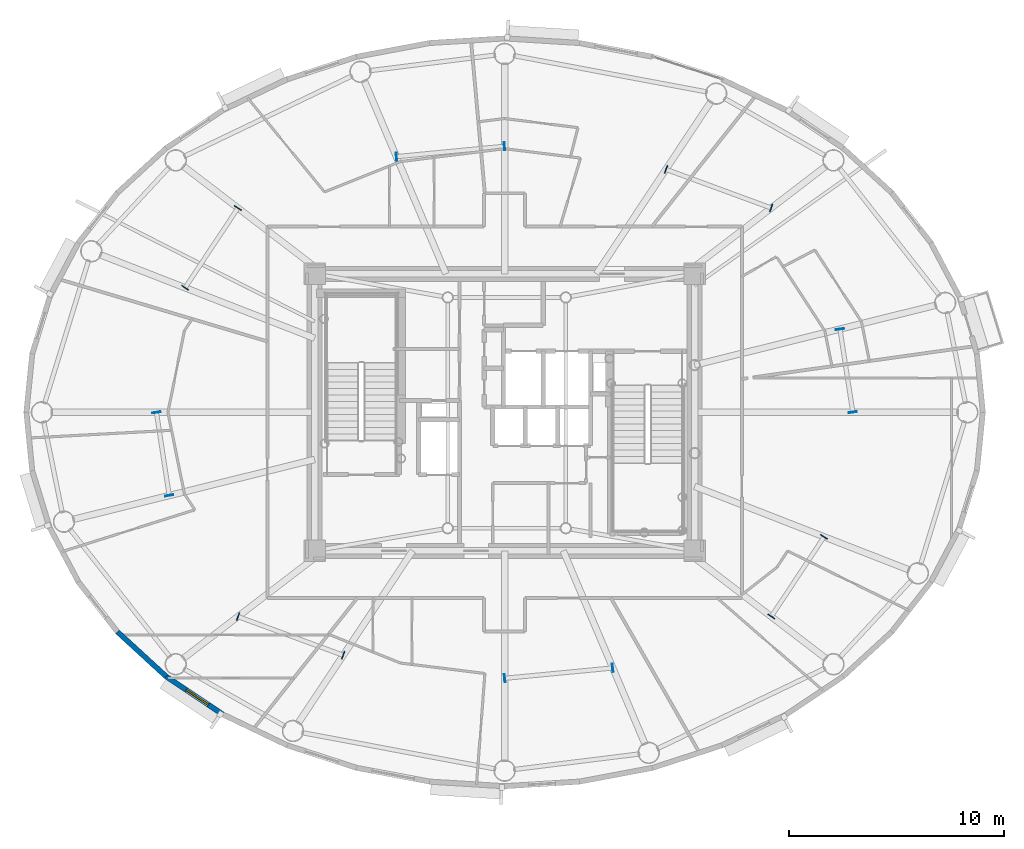
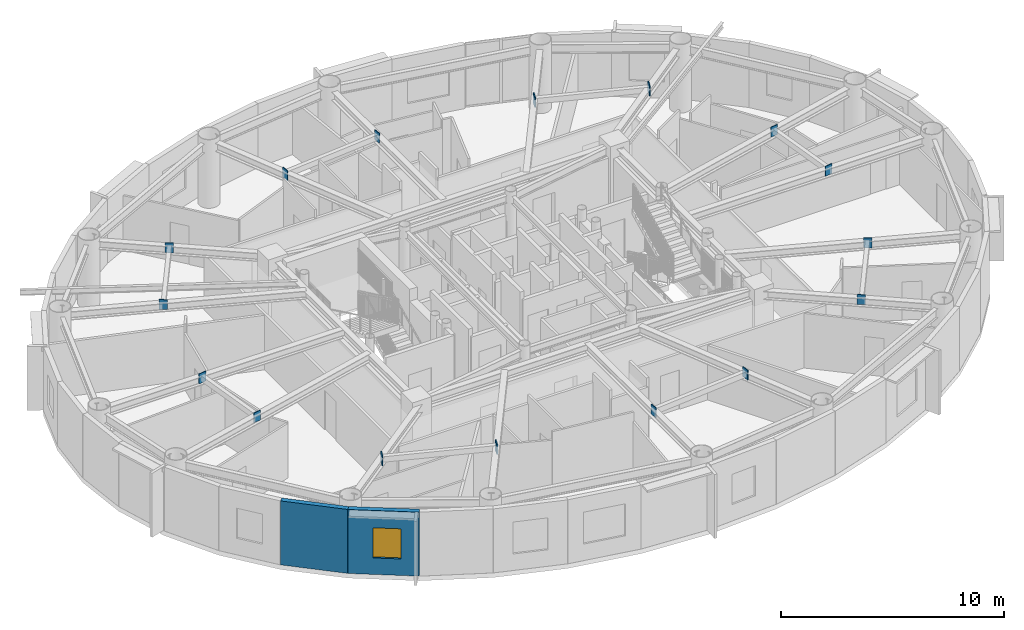
# One storey, part 6 of 18: 16 plates, 2 walls, 1 window, 1 opening.
"""IFC4 building model written with IfcOpenShell, lengths in metres."""

from ifc_helpers import new_model, si_unit, direction, frame, frame_2d, origin, origin_2d, place, context, subcontext, project, spatial, rectangle, extrude, source, transform, mapped, material, layer, layer_set, type_object, element, fill, save


model = new_model("IFC4")

# Units and contexts
model_context = context("Model", 3, precision=1e-05, world=origin(), true_north=direction((0.0, 1.0)))
body_context = subcontext(model_context, "Body", "Model", "MODEL_VIEW")
ifc_project = project(units=[si_unit("LENGTHUNIT", "METRE"), si_unit("AREAUNIT", "SQUARE_METRE"), si_unit("VOLUMEUNIT", "CUBIC_METRE"), si_unit("PLANEANGLEUNIT", "RADIAN"), si_unit("MASSUNIT", "GRAM", prefix="KILO")], contexts=[model_context])

# Site, building, storey
site_placement = place(None, origin())
site = spatial("IfcSite", under=ifc_project, at=site_placement, CompositionType="ELEMENT")
building_placement = place(site_placement, origin())
building = spatial("IfcBuilding", under=site, at=building_placement, Name="Linh Dai School and Residence Tower", CompositionType="ELEMENT")
storey_placement = place(building_placement, frame((0.0, 0.0, 273.0)))
storey = spatial("IfcBuildingStorey", under=building, at=storey_placement, Name="L67", CompositionType="ELEMENT", Elevation=273.0)

# Plates
ifc_material_1 = material(Name="Structural Steel S355JR", Category="steel")
ifc_layer_1 = layer(ifc_material_1, 0.0400390625)
ifc_layer_set_1 = layer_set([ifc_layer_1], Name="Structural Steel S355JR")
plate_type = type_object("IfcPlateType", Name="PLT-GP1", PredefinedType="USERDEFINED", material=ifc_layer_set_1)
shared_shape_1 = source(origin(), body_context, "Body", "SweptSolid", [
    extrude(rectangle(XDim=0.0400390625, YDim=0.3798828125, at=origin_2d()), origin(), (0.0, 0.0, 1.0), 0.5400390625),
])
for number, where, z_axis, x_axis, name in (
    (1, (52.21533203125, 27.0048828125, 3.080078125), (0.0, 0.0, 1.0), (-0.152473707763, 0.988307527261, 0.0), "L67 Secondary Beam End Plate 01A"),
    (2, (51.61865234375, 30.87255859375, 3.080078125), (0.0, 0.0, 1.0), (-0.152473707763, 0.988307527261, 0.0), "L67 Secondary Beam End Plate 01B"),
    (3, (48.4140625, 36.51611328125, 3.080078125), (0.0, 0.0, 1.0), (-0.938695431921, 0.34474756865, 0.0), "L67 Secondary Beam End Plate 02A"),
    (4, (43.519287109375, 38.313720703125, 3.080078125), (0.0, 0.0, 1.0), (-0.938695431921, 0.34474756865, 0.0), "L67 Secondary Beam End Plate 02B"),
    (5, (35.9951171875, 39.388671875, 3.080078125), (0.0, 0.0, 1.0), (-0.995444959349, -0.095337992991, 0.0), "L67 Secondary Beam End Plate 03A"),
    (6, (30.965087890625, 38.906982421875, 3.080078125), (0.0, 0.0, 1.0), (-0.995444959349, -0.095337992991, 0.0), "L67 Secondary Beam End Plate 03B"),
    (7, (23.57861328125, 36.51025390625, 3.080078125), (0.0, 0.0, 1.0), (-0.552122484469, -0.833763013178, 0.0), "L67 Secondary Beam End Plate 04A"),
    (8, (21.123046875, 32.80224609375, 3.080078125), (0.0, 0.0, 1.0), (-0.552122484469, -0.833763013178, 0.0), "L67 Secondary Beam End Plate 04B"),
    (9, (19.78466796875, 26.9951171875, 3.080078125), (0.0, 0.0, 1.0), (0.152473707763, -0.988307527261, 0.0), "L67 Secondary Beam End Plate 05A"),
    (10, (20.38134765625, 23.12744140625, 3.080078125), (0.0, 0.0, 1.0), (0.152473707763, -0.988307527261, 0.0), "L67 Secondary Beam End Plate 05B"),
    (11, (23.5859375, 17.48388671875, 3.080078125), (0.0, 0.0, 1.0), (0.938695431921, -0.34474756865, 0.0), "L67 Secondary Beam End Plate 06A"),
    (12, (28.480712890625, 15.686279296875, 3.080078125), (0.0, 0.0, 1.0), (0.938695431921, -0.34474756865, 0.0), "L67 Secondary Beam End Plate 06B"),
    (13, (36.0048828125, 14.611328125, 3.080078125), (0.0, 0.0, 1.0), (0.995444959349, 0.095337992991, 0.0), "L67 Secondary Beam End Plate 07A"),
    (14, (41.034912109375, 15.093017578125, 3.080078125), (0.0, 0.0, 1.0), (0.995444959349, 0.095337992991, 0.0), "L67 Secondary Beam End Plate 07B"),
    (15, (48.42138671875, 17.48974609375, 3.080078125), (0.0, 0.0, 1.0), (0.552122484469, 0.833763013178, 0.0), "L67 Secondary Beam End Plate 08A"),
    (16, (50.876953125, 21.19775390625, 3.080078125), (0.0, 0.0, 1.0), (0.552122484469, 0.833763013178, 0.0), "L67 Secondary Beam End Plate 08B"),
):
    element("IfcPlate", number, at=place(storey_placement, frame(where, z_axis=z_axis, x_axis=x_axis)), inside=storey, type_object=plate_type, Name=name, ObjectType="GUSSET PLATE", PredefinedType="USERDEFINED", context=body_context, shape_type="MappedRepresentation", body=[
        mapped(shared_shape_1, transform((0.0, 0.0, 0.0), x_axis=(1.0, 0.0, 0.0), y_axis=(0.0, 1.0, 0.0), z_axis=(0.0, 0.0, 1.0), scale=1.0)),
    ])

# Wall
ifc_material_2 = material(Name="Precast Concrete B45 (C35/45)", Category="concrete")
ifc_layer_2 = layer(ifc_material_2, 0.239990234375)
ifc_layer_set_2 = layer_set([ifc_layer_2], Name="Precast Concrete B45 (C35/45)")
wall_type = type_object("IfcWallType", Name="EW-TC-240", PredefinedType="SOLIDWALL", material=ifc_layer_set_2)
wall_1_placement = place(storey_placement, frame((20.23779296875, 14.69580078125, 0.0), z_axis=(0.0, 0.0, 1.0), x_axis=(-0.737068506972, 0.675818034703, 0.0)))
element("IfcWall", 17, at=wall_1_placement, inside=storey, type_object=wall_type, Name="L67 Terracotta Exterior Wall 25", PredefinedType="SOLIDWALL", context=body_context, shape_type="SweptSolid", body=[
    extrude(rectangle(XDim=3.0771484375, YDim=0.239990234375, at=frame_2d((1.53857421875, 0.0))), origin(), (0.0, 0.0, 1.0), 3.5),
])

# Wall, opening, window
wall_2_placement = place(storey_placement, frame((22.8955078125, 12.91845703125, 0.0), z_axis=(0.0, 0.0, 1.0), x_axis=(-0.831250592635, 0.55589787933, 0.0)))
wall_2 = element("IfcWall", 18, at=wall_2_placement, inside=storey, type_object=wall_type, Name="L67 Terracotta Exterior Wall 26", PredefinedType="SOLIDWALL", context=body_context, shape_type="SweptSolid", body=[
    extrude(rectangle(XDim=3.197265625, YDim=0.239990234375, at=frame_2d((1.5986328125, 0.0))), origin(), (0.0, 0.0, 1.0), 3.5),
])
opening_placement = place(wall_2_placement, frame((0.822265625, 0.0, 0.89990234375)))
opening = element("IfcOpeningElement", 19, at=opening_placement, cuts=wall_2, Name="Opening W3", PredefinedType="OPENING", context=body_context, shape_type="SweptSolid", body=[
    extrude(rectangle(XDim=1.25, YDim=1.64990234375, at=origin_2d()), frame((0.625, 0.1298828125, 0.824951171875), z_axis=(0.0, -1.0, 0.0), x_axis=(1.0, 0.0, 0.0)), (0.0, 0.0, 1.0), 0.260009765625),
])
ifc_material_3 = material(Name="Double Low-E Insulated Glazing", Category="glass")
window_type = type_object("IfcWindowType", Name="WN-RES-1250x1650", PartitioningType="SINGLE_PANEL", PredefinedType="WINDOW", material=ifc_material_3)
shared_shape_2 = source(origin(), body_context, "Body", "SweptSolid", [
    extrude(rectangle(XDim=1.25, YDim=1.64990234375, at=origin_2d()), frame((0.625, 0.030029296875, 0.824951171875), z_axis=(0.0, -1.0, 0.0), x_axis=(1.0, 0.0, 0.0)), (0.0, 0.0, 1.0), 0.06005859375),
])
window_placement = place(opening_placement, origin())
window = element("IfcWindow", 20, at=window_placement, inside=storey, type_object=window_type, Name="L67 Exterior Window 26.1", OverallHeight=1.64990234375, OverallWidth=1.25, PartitioningType="SINGLE_PANEL", PredefinedType="WINDOW", context=body_context, shape_type="MappedRepresentation", body=[
    mapped(shared_shape_2, transform((0.0, 0.0, 0.0), x_axis=(1.0, 0.0, 0.0), y_axis=(0.0, 1.0, 0.0), z_axis=(0.0, 0.0, 1.0), scale=1.0)),
])
fill(opening, window)

save(model, "model.ifc")
